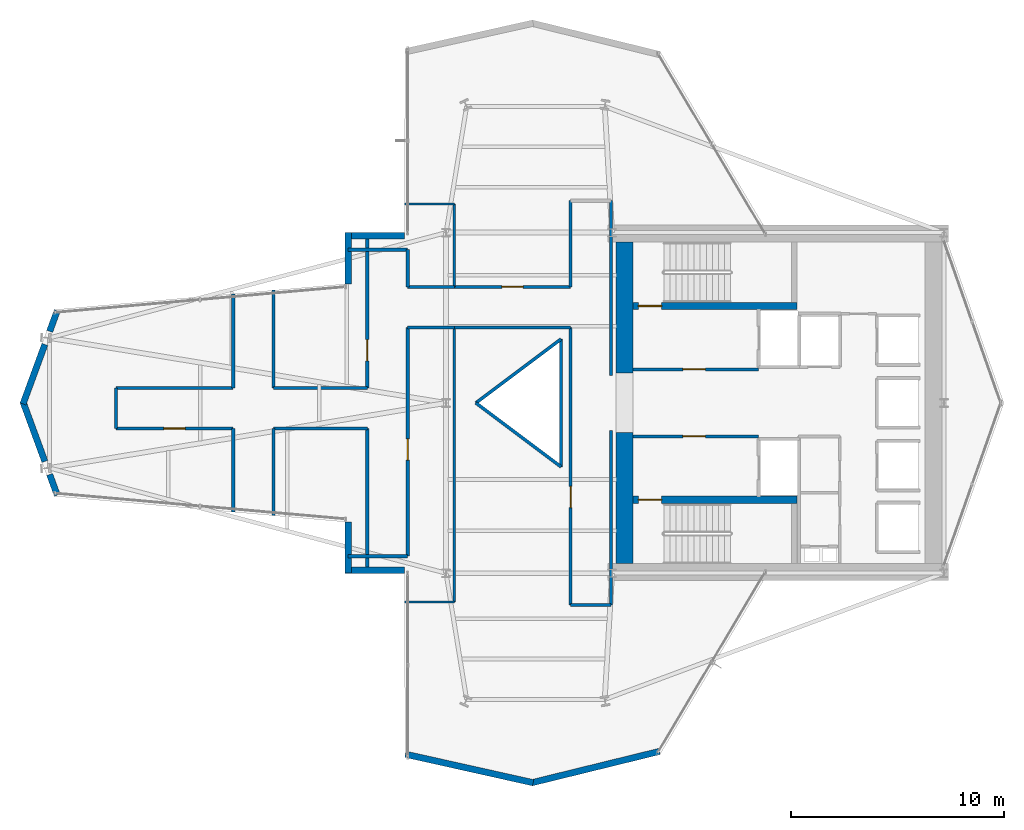
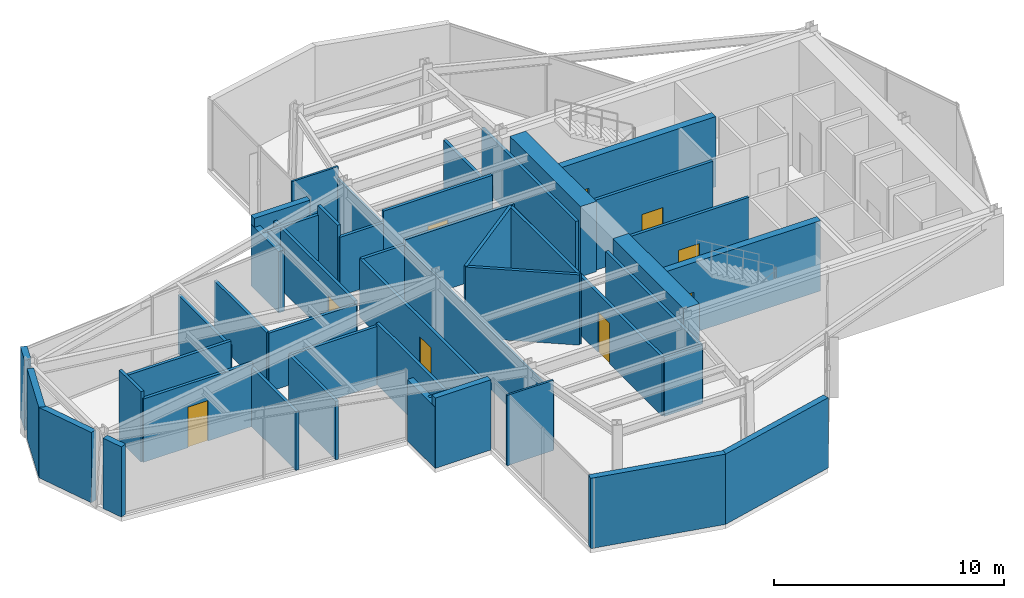
# One storey, part 20 of 23: 47 walls, 9 doors, 9 openings.
"""IFC4 building model written with IfcOpenShell, lengths in metres."""

from ifc_helpers import new_model, si_unit, direction, frame, frame_2d, origin, place, context, subcontext, project, spatial, rectangle, extrude, material, layer, layer_set, type_object, element, fill, save


model = new_model("IFC4")

# Units and contexts
model_context = context("Model", 3, precision=1e-05, world=origin(), true_north=direction((0.0, 1.0)))
body_context = subcontext(model_context, "Body", "Model", "MODEL_VIEW")
ifc_project = project(units=[si_unit("LENGTHUNIT", "METRE"), si_unit("AREAUNIT", "SQUARE_METRE"), si_unit("VOLUMEUNIT", "CUBIC_METRE"), si_unit("PLANEANGLEUNIT", "RADIAN"), si_unit("MASSUNIT", "GRAM", prefix="KILO")], contexts=[model_context])

# Site, building, storey
site_placement = place(None, origin())
site = spatial("IfcSite", under=ifc_project, at=site_placement, CompositionType="ELEMENT")
building_placement = place(site_placement, origin())
building = spatial("IfcBuilding", under=site, at=building_placement, Name="Veymaron Broadcast Tower", CompositionType="ELEMENT")
storey_placement = place(building_placement, frame((0.0, 0.0, 177.60009765625)))
storey = spatial("IfcBuildingStorey", under=building, at=storey_placement, Name="L41", CompositionType="ELEMENT", Elevation=177.60009765625)

# Walls
ifc_material_1 = material(Name="Precast concrete C40/50 with mineral-wool insulation", Category="concrete")
ifc_layer_1 = layer(ifc_material_1, 0.300048828125)
ifc_layer_set_1 = layer_set([ifc_layer_1], Name="Precast concrete C40/50 with mineral-wool insulation")
wall_type_1 = type_object("IfcWallType", Name="WALL-EXT-300", PredefinedType="STANDARD", material=ifc_layer_set_1)
wall_1_placement = place(storey_placement, frame((29.25634765625, 31.860107421875, 0.0), z_axis=(0.0, 0.0, 1.0), x_axis=(-1.0, 0.0, 0.0)))
element("IfcWall", 1, at=wall_1_placement, inside=storey, type_object=wall_type_1, Name="L41 notched corner facade pier 9-1", PredefinedType="STANDARD", context=body_context, shape_type="SweptSolid", body=[
    extrude(rectangle(XDim=2.80029296875, YDim=0.300048828125, at=frame_2d((1.400146484375, 0.0))), origin(), (0.0, 0.0, 1.0), 3.72998046875),
])
wall_2_placement = place(storey_placement, frame((26.595947265625, 32.0, 0.0), z_axis=(0.0, 0.0, 1.0), x_axis=(0.0, -1.0, 0.0)))
element("IfcWall", 2, at=wall_2_placement, inside=storey, type_object=wall_type_1, Name="L41 notched corner facade pier 10-1", PredefinedType="STANDARD", context=body_context, shape_type="SweptSolid", body=[
    extrude(rectangle(XDim=2.406982421875, YDim=0.300048828125, at=frame_2d((1.20361328125, 0.0))), origin(), (0.0, 0.0, 1.0), 3.2578125),
])
wall_3_placement = place(storey_placement, frame((12.931396484375, 28.3369140625, 0.0), z_axis=(0.0, 0.0, 1.0), x_axis=(-0.344102603257, -0.938932052085, 0.0)))
element("IfcWall", 3, at=wall_3_placement, inside=storey, type_object=wall_type_1, Name="L41 notched corner facade pier 12-1", PredefinedType="STANDARD", context=body_context, shape_type="SweptSolid", body=[
    extrude(rectangle(XDim=1.0380859375, YDim=0.300048828125, at=frame_2d((0.51904296875, 0.0))), origin(), (0.0, 0.0, 1.0), 3.72998046875),
])
for number, where, z_axis, x_axis, name in (
    (4, (12.34912109375, 26.74853515625, 0.0), (0.0, 0.0, 1.0), (-0.344314854288, -0.938854238483, 0.0), "L41 notched corner facade pier 12-2"),
    (5, (11.323486328125, 24.048095703125, 0.0), (0.0, 0.0, 1.0), (0.344314854288, -0.938854238483, 0.0), "L41 notched corner facade pier 13-1"),
):
    element("IfcWall", number, at=place(storey_placement, frame(where, z_axis=z_axis, x_axis=x_axis)), inside=storey, type_object=wall_type_1, Name=name, PredefinedType="STANDARD", context=body_context, shape_type="SweptSolid", body=[
        extrude(rectangle(XDim=2.978759765625, YDim=0.300048828125, at=frame_2d((1.4892578125, 0.0))), origin(), (0.0, 0.0, 1.0), 3.72998046875),
    ])
wall_4_placement = place(storey_placement, frame((12.57421875, 20.6376953125, 0.0), z_axis=(0.0, 0.0, 1.0), x_axis=(0.344102603257, -0.938932052085, 0.0)))
element("IfcWall", 6, at=wall_4_placement, inside=storey, type_object=wall_type_1, Name="L41 notched corner facade pier 13-2", PredefinedType="STANDARD", context=body_context, shape_type="SweptSolid", body=[
    extrude(rectangle(XDim=1.0380859375, YDim=0.300048828125, at=frame_2d((0.51904296875, 0.0))), origin(), (0.0, 0.0, 1.0), 3.72998046875),
])
wall_5_placement = place(storey_placement, frame((26.595947265625, 18.406982421875, 0.0), z_axis=(0.0, 0.0, 1.0), x_axis=(0.0, -1.0, 0.0)))
element("IfcWall", 7, at=wall_5_placement, inside=storey, type_object=wall_type_1, Name="L41 notched corner facade pier 15-1", PredefinedType="STANDARD", context=body_context, shape_type="SweptSolid", body=[
    extrude(rectangle(XDim=2.406982421875, YDim=0.300048828125, at=frame_2d((1.20361328125, 0.0))), origin(), (0.0, 0.0, 1.0), 3.2578125),
])
wall_6_placement = place(storey_placement, frame((26.4560546875, 16.139892578125, 0.0), z_axis=(0.0, 0.0, 1.0), x_axis=(1.0, 0.0, 0.0)))
element("IfcWall", 8, at=wall_6_placement, inside=storey, type_object=wall_type_1, Name="L41 notched corner facade pier 16-1", PredefinedType="STANDARD", context=body_context, shape_type="SweptSolid", body=[
    extrude(rectangle(XDim=2.80029296875, YDim=0.300048828125, at=frame_2d((1.400146484375, 0.0))), origin(), (0.0, 0.0, 1.0), 3.72998046875),
])
wall_7_placement = place(storey_placement, frame((29.291748046875, 7.49462890625, 0.0), z_axis=(0.0, 0.0, 1.0), x_axis=(0.975959494703, -0.217951977966, 0.0)))
element("IfcWall", 9, at=wall_7_placement, inside=storey, type_object=wall_type_1, Name="L41 notched corner facade pier 18-1", PredefinedType="STANDARD", context=body_context, shape_type="SweptSolid", body=[
    extrude(rectangle(XDim=6.1484375, YDim=0.300048828125, at=frame_2d((3.07421875, 0.0))), origin(), (0.0, 0.0, 1.0), 3.72998046875),
])
wall_8_placement = place(storey_placement, frame((35.228515625, 6.154052734375, 0.0), z_axis=(0.0, 0.0, 1.0), x_axis=(0.971135940566, 0.238526696497, 0.0)))
element("IfcWall", 10, at=wall_8_placement, inside=storey, type_object=wall_type_1, Name="L41 notched corner facade pier 19-1", PredefinedType="STANDARD", context=body_context, shape_type="SweptSolid", body=[
    extrude(rectangle(XDim=6.17919921875, YDim=0.300048828125, at=frame_2d((3.089599609375, 0.0))), origin(), (0.0, 0.0, 1.0), 3.72998046875),
])

# Wall, opening, door
ifc_material_2 = material(Name="Gypsum fireboard and steel stud framing", Category="steel")
ifc_layer_2 = layer(ifc_material_2, 0.14990234375)
ifc_layer_set_2 = layer_set([ifc_layer_2], Name="Gypsum fireboard and steel stud framing")
wall_type_2 = type_object("IfcWallType", Name="WALL-FIRE-150", PredefinedType="PARTITIONING", material=ifc_layer_set_2)
wall_9_placement = place(storey_placement, frame((39.97998046875, 25.574951171875, 0.0), z_axis=(0.0, 0.0, 1.0), x_axis=(1.0, 0.0, 0.0)))
wall_9 = element("IfcWall", 11, at=wall_9_placement, inside=storey, type_object=wall_type_2, Name="L41 partition IW-L41-FFLN-S", PredefinedType="PARTITIONING", context=body_context, shape_type="SweptSolid", body=[
    extrude(rectangle(XDim=5.89990234375, YDim=0.14990234375, at=frame_2d((2.949951171875, 0.0))), origin(), (0.0, 0.0, 1.0), 3.72998046875),
])
opening_1_placement = place(wall_9_placement, frame((2.35009765625, 0.0, 0.0)))
opening_1 = element("IfcOpeningElement", 12, at=opening_1_placement, cuts=wall_9, Name="Opening ID-FL1", PredefinedType="OPENING", context=body_context, shape_type="SweptSolid", body=[
    extrude(rectangle(XDim=1.050048828125, YDim=2.14990234375, at=frame_2d((0.52490234375, 1.074951171875))), frame((0.0, 0.0849609375, 0.0), z_axis=(0.0, -1.0, 0.0), x_axis=(1.0, 0.0, 0.0)), (0.0, 0.0, 1.0), 0.169921875),
])
ifc_material_3 = material(Name="Fire-rated painted hollow steel ASTM A653", Category="steel")
door_type_1 = type_object("IfcDoorType", Name="DOOR-FIRE-1050", OperationType="NOTDEFINED", PredefinedType="DOOR", material=ifc_material_3)
door_1_placement = place(opening_1_placement, origin())
door_1 = element("IfcDoor", 13, at=door_1_placement, inside=storey, type_object=door_type_1, Name="L41 door DR-L41-FFLN", OperationType="SINGLE_SWING_LEFT", OverallHeight=2.14990234375, OverallWidth=1.050048828125, PredefinedType="DOOR", context=body_context, shape_type="SweptSolid", body=[
    extrude(rectangle(XDim=1.050048828125, YDim=2.14990234375, at=frame_2d((0.52490234375, 1.074951171875))), frame((0.0, 0.02490234375, 0.0), z_axis=(0.0, -1.0, 0.0), x_axis=(1.0, 0.0, 0.0)), (0.0, 0.0, 1.0), 0.050048828125),
])
fill(opening_1, door_1)

wall_10_placement = place(storey_placement, frame((39.97998046875, 22.425048828125, 0.0), z_axis=(0.0, 0.0, 1.0), x_axis=(1.0, 0.0, 0.0)))
wall_10 = element("IfcWall", 14, at=wall_10_placement, inside=storey, type_object=wall_type_2, Name="L41 partition IW-L41-FFLS-N", PredefinedType="PARTITIONING", context=body_context, shape_type="SweptSolid", body=[
    extrude(rectangle(XDim=5.89990234375, YDim=0.14990234375, at=frame_2d((2.949951171875, 0.0))), origin(), (0.0, 0.0, 1.0), 3.72998046875),
])
opening_2_placement = place(wall_10_placement, frame((2.35009765625, 0.0, 0.0)))
opening_2 = element("IfcOpeningElement", 15, at=opening_2_placement, cuts=wall_10, Name="Opening ID-FL1", PredefinedType="OPENING", context=body_context, shape_type="SweptSolid", body=[
    extrude(rectangle(XDim=1.050048828125, YDim=2.14990234375, at=frame_2d((0.52490234375, 1.074951171875))), frame((0.0, 0.0849609375, 0.0), z_axis=(0.0, -1.0, 0.0), x_axis=(1.0, 0.0, 0.0)), (0.0, 0.0, 1.0), 0.169921875),
])
door_2_placement = place(opening_2_placement, frame((1.050048828125, 0.0, 0.0), z_axis=(0.0, 0.0, 1.0), x_axis=(-1.0, 0.0, 0.0)))
door_2 = element("IfcDoor", 16, at=door_2_placement, inside=storey, type_object=door_type_1, Name="L41 door DR-L41-FFLS", OperationType="SINGLE_SWING_RIGHT", OverallHeight=2.14990234375, OverallWidth=1.050048828125, PredefinedType="DOOR", context=body_context, shape_type="SweptSolid", body=[
    extrude(rectangle(XDim=1.050048828125, YDim=2.14990234375, at=frame_2d((0.52490234375, 1.074951171875))), frame((0.0, 0.02490234375, 0.0), z_axis=(0.0, -1.0, 0.0), x_axis=(1.0, 0.0, 0.0)), (0.0, 0.0, 1.0), 0.050048828125),
])
fill(opening_2, door_2)

wall_11_placement = place(storey_placement, frame((37.050048828125, 14.5, 0.0), z_axis=(0.0, 0.0, 1.0), x_axis=(0.0, 1.0, 0.0)))
wall_11 = element("IfcWall", 17, at=wall_11_placement, inside=storey, type_object=wall_type_2, Name="L41 partition IW-L41-P01", PredefinedType="PARTITIONING", context=body_context, shape_type="SweptSolid", body=[
    extrude(rectangle(XDim=13.050048828125, YDim=0.14990234375, at=frame_2d((6.52490234375, 0.0))), origin(), (0.0, 0.0, 1.0), 3.10986328125),
])
opening_3_placement = place(wall_11_placement, frame((4.5849609375, 0.0, 0.0)))
opening_3 = element("IfcOpeningElement", 18, at=opening_3_placement, cuts=wall_11, Name="Opening ID-RM3", PredefinedType="OPENING", context=body_context, shape_type="SweptSolid", body=[
    extrude(rectangle(XDim=1.0, YDim=2.14990234375, at=frame_2d((0.5, 1.074951171875))), frame((0.0, 0.0849609375, 0.0), z_axis=(0.0, -1.0, 0.0), x_axis=(1.0, 0.0, 0.0)), (0.0, 0.0, 1.0), 0.169921875),
])
ifc_material_4 = material(Name="Acoustic solid-core European oak veneer timber", Category="wood")
door_type_2 = type_object("IfcDoorType", Name="DOOR-INT-1000", OperationType="NOTDEFINED", PredefinedType="DOOR", material=ifc_material_4)
door_3_placement = place(opening_3_placement, frame((1.0, 0.0, 0.0), z_axis=(0.0, 0.0, 1.0), x_axis=(-1.0, 0.0, 0.0)))
door_3 = element("IfcDoor", 19, at=door_3_placement, inside=storey, type_object=door_type_2, Name="L41 door DR-L41-P01", OperationType="SINGLE_SWING_RIGHT", OverallHeight=2.14990234375, OverallWidth=1.0, PredefinedType="DOOR", context=body_context, shape_type="SweptSolid", body=[
    extrude(rectangle(XDim=1.0, YDim=2.14990234375, at=frame_2d((0.5, 1.074951171875))), frame((0.0, 0.02490234375, 0.0), z_axis=(0.0, -1.0, 0.0), x_axis=(1.0, 0.0, 0.0)), (0.0, 0.0, 1.0), 0.050048828125),
])
fill(opening_3, door_3)

wall_12_placement = place(storey_placement, frame((29.39990234375, 16.800048828125, 0.0), z_axis=(0.0, 0.0, 1.0), x_axis=(0.0, 1.0, 0.0)))
wall_12 = element("IfcWall", 20, at=wall_12_placement, inside=storey, type_object=wall_type_2, Name="L41 partition IW-L41-P05", PredefinedType="PARTITIONING", context=body_context, shape_type="SweptSolid", body=[
    extrude(rectangle(XDim=10.75, YDim=0.14990234375, at=frame_2d((5.375, 0.0))), origin(), (0.0, 0.0, 1.0), 3.10986328125),
])
opening_4_placement = place(wall_12_placement, frame((4.514892578125, 0.0, 0.0)))
opening_4 = element("IfcOpeningElement", 21, at=opening_4_placement, cuts=wall_12, Name="Opening ID-RM3", PredefinedType="OPENING", context=body_context, shape_type="SweptSolid", body=[
    extrude(rectangle(XDim=1.0, YDim=2.14990234375, at=frame_2d((0.5, 1.074951171875))), frame((0.0, 0.0849609375, 0.0), z_axis=(0.0, -1.0, 0.0), x_axis=(1.0, 0.0, 0.0)), (0.0, 0.0, 1.0), 0.169921875),
])
door_4_placement = place(opening_4_placement, frame((1.0, 0.0, 0.0), z_axis=(0.0, 0.0, 1.0), x_axis=(-1.0, 0.0, 0.0)))
door_4 = element("IfcDoor", 22, at=door_4_placement, inside=storey, type_object=door_type_2, Name="L41 door DR-L41-P05", OperationType="SINGLE_SWING_RIGHT", OverallHeight=2.14990234375, OverallWidth=1.0, PredefinedType="DOOR", context=body_context, shape_type="SweptSolid", body=[
    extrude(rectangle(XDim=1.0, YDim=2.14990234375, at=frame_2d((0.5, 1.074951171875))), frame((0.0, 0.02490234375, 0.0), z_axis=(0.0, -1.0, 0.0), x_axis=(1.0, 0.0, 0.0)), (0.0, 0.0, 1.0), 0.050048828125),
])
fill(opening_4, door_4)

wall_13_placement = place(storey_placement, frame((15.69189453125, 22.800048828125, 0.0), z_axis=(0.0, 0.0, 1.0), x_axis=(1.0, 0.0, 0.0)))
wall_13 = element("IfcWall", 23, at=wall_13_placement, inside=storey, type_object=wall_type_2, Name="L41 partition IW-L41-P11", PredefinedType="PARTITIONING", context=body_context, shape_type="SweptSolid", body=[
    extrude(rectangle(XDim=5.508056640625, YDim=0.14990234375, at=frame_2d((2.75390625, 0.0))), origin(), (0.0, 0.0, 1.0), 3.36279296875),
])
opening_5_placement = place(wall_13_placement, frame((2.25390625, 0.0, 0.0)))
opening_5 = element("IfcOpeningElement", 24, at=opening_5_placement, cuts=wall_13, Name="Opening ID-RM3", PredefinedType="OPENING", context=body_context, shape_type="SweptSolid", body=[
    extrude(rectangle(XDim=1.0, YDim=2.14990234375, at=frame_2d((0.5, 1.074951171875))), frame((0.0, 0.0849609375, 0.0), z_axis=(0.0, -1.0, 0.0), x_axis=(1.0, 0.0, 0.0)), (0.0, 0.0, 1.0), 0.169921875),
])
door_5_placement = place(opening_5_placement, frame((1.0, 0.0, 0.0), z_axis=(0.0, 0.0, 1.0), x_axis=(-1.0, 0.0, 0.0)))
door_5 = element("IfcDoor", 25, at=door_5_placement, inside=storey, type_object=door_type_2, Name="L41 door DR-L41-P11", OperationType="SINGLE_SWING_RIGHT", OverallHeight=2.14990234375, OverallWidth=1.0, PredefinedType="DOOR", context=body_context, shape_type="SweptSolid", body=[
    extrude(rectangle(XDim=1.0, YDim=2.14990234375, at=frame_2d((0.5, 1.074951171875))), frame((0.0, 0.02490234375, 0.0), z_axis=(0.0, -1.0, 0.0), x_axis=(1.0, 0.0, 0.0)), (0.0, 0.0, 1.0), 0.050048828125),
])
fill(opening_5, door_5)

wall_14_placement = place(storey_placement, frame((27.5, 24.699951171875, 0.0), z_axis=(0.0, 0.0, 1.0), x_axis=(0.0, 1.0, 0.0)))
wall_14 = element("IfcWall", 26, at=wall_14_placement, inside=storey, type_object=wall_type_2, Name="L41 partition IW-L41-P16", PredefinedType="PARTITIONING", context=body_context, shape_type="SweptSolid", body=[
    extrude(rectangle(XDim=7.16015625, YDim=0.14990234375, at=frame_2d((3.580078125, 0.0))), origin(), (0.0, 0.0, 1.0), 3.2578125),
])
opening_6_placement = place(wall_14_placement, frame((1.280029296875, 0.0, 0.0)))
opening_6 = element("IfcOpeningElement", 27, at=opening_6_placement, cuts=wall_14, Name="Opening ID-RM3", PredefinedType="OPENING", context=body_context, shape_type="SweptSolid", body=[
    extrude(rectangle(XDim=1.0, YDim=2.14990234375, at=frame_2d((0.5, 1.074951171875))), frame((0.0, 0.0849609375, 0.0), z_axis=(0.0, -1.0, 0.0), x_axis=(1.0, 0.0, 0.0)), (0.0, 0.0, 1.0), 0.169921875),
])
door_6_placement = place(opening_6_placement, origin())
door_6 = element("IfcDoor", 28, at=door_6_placement, inside=storey, type_object=door_type_2, Name="L41 door DR-L41-P16", OperationType="SINGLE_SWING_LEFT", OverallHeight=2.14990234375, OverallWidth=1.0, PredefinedType="DOOR", context=body_context, shape_type="SweptSolid", body=[
    extrude(rectangle(XDim=1.0, YDim=2.14990234375, at=frame_2d((0.5, 1.074951171875))), frame((0.0, 0.02490234375, 0.0), z_axis=(0.0, -1.0, 0.0), x_axis=(1.0, 0.0, 0.0)), (0.0, 0.0, 1.0), 0.050048828125),
])
fill(opening_6, door_6)

wall_15_placement = place(storey_placement, frame((31.5859375, 29.449951171875, 0.0), z_axis=(0.0, 0.0, 1.0), x_axis=(1.0, 0.0, 0.0)))
wall_15 = element("IfcWall", 29, at=wall_15_placement, inside=storey, type_object=wall_type_2, Name="L41 partition IW-L41-P23", PredefinedType="PARTITIONING", context=body_context, shape_type="SweptSolid", body=[
    extrude(rectangle(XDim=5.464111328125, YDim=0.14990234375, at=frame_2d((2.73193359375, 0.0))), origin(), (0.0, 0.0, 1.0), 3.72998046875),
])
opening_7_placement = place(wall_15_placement, frame((2.23193359375, 0.0, 0.0)))
opening_7 = element("IfcOpeningElement", 30, at=opening_7_placement, cuts=wall_15, Name="Opening ID-RM3", PredefinedType="OPENING", context=body_context, shape_type="SweptSolid", body=[
    extrude(rectangle(XDim=1.0, YDim=2.14990234375, at=frame_2d((0.5, 1.074951171875))), frame((0.0, 0.0849609375, 0.0), z_axis=(0.0, -1.0, 0.0), x_axis=(1.0, 0.0, 0.0)), (0.0, 0.0, 1.0), 0.169921875),
])
door_7_placement = place(opening_7_placement, origin())
door_7 = element("IfcDoor", 31, at=door_7_placement, inside=storey, type_object=door_type_2, Name="L41 door DR-L41-P23", OperationType="SINGLE_SWING_RIGHT", OverallHeight=2.14990234375, OverallWidth=1.0, PredefinedType="DOOR", context=body_context, shape_type="SweptSolid", body=[
    extrude(rectangle(XDim=1.0, YDim=2.14990234375, at=frame_2d((0.5, 1.074951171875))), frame((0.0, 0.02490234375, 0.0), z_axis=(0.0, -1.0, 0.0), x_axis=(1.0, 0.0, 0.0)), (0.0, 0.0, 1.0), 0.050048828125),
])
fill(opening_7, door_7)

# Walls
wall_16_placement = place(storey_placement, frame((38.949951171875, 14.5, 0.0), z_axis=(0.0, 0.0, 1.0), x_axis=(0.0, 1.0, 0.0)))
element("IfcWall", 32, at=wall_16_placement, inside=storey, type_object=wall_type_2, Name="L41 partition IW-L41-P02", PredefinedType="PARTITIONING", context=body_context, shape_type="SweptSolid", body=[
    extrude(rectangle(XDim=8.199951171875, YDim=0.14990234375, at=frame_2d((4.10009765625, 0.0))), origin(), (0.0, 0.0, 1.0), 3.10986328125),
])
wall_17_placement = place(storey_placement, frame((31.5859375, 27.550048828125, 0.0), z_axis=(0.0, 0.0, 1.0), x_axis=(1.0, 0.0, 0.0)))
element("IfcWall", 33, at=wall_17_placement, inside=storey, type_object=wall_type_2, Name="L41 partition IW-L41-P03", PredefinedType="PARTITIONING", context=body_context, shape_type="SweptSolid", body=[
    extrude(rectangle(XDim=5.464111328125, YDim=0.14990234375, at=frame_2d((2.73193359375, 0.0))), origin(), (0.0, 0.0, 1.0), 3.36279296875),
])
wall_18_placement = place(storey_placement, frame((37.050048828125, 14.5, 0.0), z_axis=(0.0, 0.0, 1.0), x_axis=(1.0, 0.0, 0.0)))
element("IfcWall", 34, at=wall_18_placement, inside=storey, type_object=wall_type_2, Name="L41 partition IW-L41-P04", PredefinedType="PARTITIONING", context=body_context, shape_type="SweptSolid", body=[
    extrude(rectangle(XDim=1.89990234375, YDim=0.14990234375, at=frame_2d((0.949951171875, 0.0))), origin(), (0.0, 0.0, 1.0), 3.10986328125),
])
wall_19_placement = place(storey_placement, frame((27.5, 16.139892578125, 0.0), z_axis=(0.0, 0.0, 1.0), x_axis=(0.0, 1.0, 0.0)))
element("IfcWall", 35, at=wall_19_placement, inside=storey, type_object=wall_type_2, Name="L41 partition IW-L41-P06", PredefinedType="PARTITIONING", context=body_context, shape_type="SweptSolid", body=[
    extrude(rectangle(XDim=6.66015625, YDim=0.14990234375, at=frame_2d((3.330078125, 0.0))), origin(), (0.0, 0.0, 1.0), 3.2578125),
])
wall_20_placement = place(storey_placement, frame((23.10009765625, 22.800048828125, 0.0), z_axis=(0.0, 0.0, 1.0), x_axis=(1.0, 0.0, 0.0)))
element("IfcWall", 36, at=wall_20_placement, inside=storey, type_object=wall_type_2, Name="L41 partition IW-L41-P07", PredefinedType="PARTITIONING", context=body_context, shape_type="SweptSolid", body=[
    extrude(rectangle(XDim=4.39990234375, YDim=0.14990234375, at=frame_2d((2.199951171875, 0.0))), origin(), (0.0, 0.0, 1.0), 3.10986328125),
])
wall_21_placement = place(storey_placement, frame((23.10009765625, 18.703857421875, 0.0), z_axis=(0.0, 0.0, 1.0), x_axis=(0.0, 1.0, 0.0)))
element("IfcWall", 37, at=wall_21_placement, inside=storey, type_object=wall_type_2, Name="L41 partition IW-L41-P08", PredefinedType="PARTITIONING", context=body_context, shape_type="SweptSolid", body=[
    extrude(rectangle(XDim=4.09619140625, YDim=0.14990234375, at=frame_2d((2.048095703125, 0.0))), origin(), (0.0, 0.0, 1.0), 3.10986328125),
])
wall_22_placement = place(storey_placement, frame((26.595947265625, 16.800048828125, 0.0), z_axis=(0.0, 0.0, 1.0), x_axis=(1.0, 0.0, 0.0)))
element("IfcWall", 38, at=wall_22_placement, inside=storey, type_object=wall_type_2, Name="L41 partition IW-L41-P09", PredefinedType="PARTITIONING", context=body_context, shape_type="SweptSolid", body=[
    extrude(rectangle(XDim=2.803955078125, YDim=0.14990234375, at=frame_2d((1.40185546875, 0.0))), origin(), (0.0, 0.0, 1.0), 3.2578125),
])
wall_23_placement = place(storey_placement, frame((29.39990234375, 27.550048828125, 0.0), z_axis=(0.0, 0.0, 1.0), x_axis=(1.0, 0.0, 0.0)))
element("IfcWall", 39, at=wall_23_placement, inside=storey, type_object=wall_type_2, Name="L41 partition IW-L41-P10", PredefinedType="PARTITIONING", context=body_context, shape_type="SweptSolid", body=[
    extrude(rectangle(XDim=2.18603515625, YDim=0.14990234375, at=frame_2d((1.093017578125, 0.0))), origin(), (0.0, 0.0, 1.0), 3.10986328125),
])
wall_24_placement = place(storey_placement, frame((15.69189453125, 24.699951171875, 0.0), z_axis=(0.0, 0.0, 1.0), x_axis=(1.0, 0.0, 0.0)))
element("IfcWall", 40, at=wall_24_placement, inside=storey, type_object=wall_type_2, Name="L41 partition IW-L41-P12", PredefinedType="PARTITIONING", context=body_context, shape_type="SweptSolid", body=[
    extrude(rectangle(XDim=5.508056640625, YDim=0.14990234375, at=frame_2d((2.75390625, 0.0))), origin(), (0.0, 0.0, 1.0), 3.36279296875),
])
wall_25_placement = place(storey_placement, frame((21.199951171875, 24.699951171875, 0.0), z_axis=(0.0, 0.0, 1.0), x_axis=(0.0, 1.0, 0.0)))
element("IfcWall", 41, at=wall_25_placement, inside=storey, type_object=wall_type_2, Name="L41 partition IW-L41-P13", PredefinedType="PARTITIONING", context=body_context, shape_type="SweptSolid", body=[
    extrude(rectangle(XDim=4.42822265625, YDim=0.14990234375, at=frame_2d((2.214111328125, 0.0))), origin(), (0.0, 0.0, 1.0), 3.10986328125),
])
wall_26_placement = place(storey_placement, frame((21.199951171875, 18.871826171875, 0.0), z_axis=(0.0, 0.0, 1.0), x_axis=(0.0, 1.0, 0.0)))
element("IfcWall", 42, at=wall_26_placement, inside=storey, type_object=wall_type_2, Name="L41 partition IW-L41-P14", PredefinedType="PARTITIONING", context=body_context, shape_type="SweptSolid", body=[
    extrude(rectangle(XDim=3.92822265625, YDim=0.14990234375, at=frame_2d((1.964111328125, 0.0))), origin(), (0.0, 0.0, 1.0), 3.10986328125),
])
wall_27_placement = place(storey_placement, frame((15.69189453125, 22.800048828125, 0.0), z_axis=(0.0, 0.0, 1.0), x_axis=(0.0, 1.0, 0.0)))
element("IfcWall", 43, at=wall_27_placement, inside=storey, type_object=wall_type_2, Name="L41 partition IW-L41-P15", PredefinedType="PARTITIONING", context=body_context, shape_type="SweptSolid", body=[
    extrude(rectangle(XDim=1.89990234375, YDim=0.14990234375, at=frame_2d((0.949951171875, 0.0))), origin(), (0.0, 0.0, 1.0), 3.72998046875),
])
wall_28_placement = place(storey_placement, frame((23.10009765625, 24.699951171875, 0.0), z_axis=(0.0, 0.0, 1.0), x_axis=(0.0, 1.0, 0.0)))
element("IfcWall", 44, at=wall_28_placement, inside=storey, type_object=wall_type_2, Name="L41 partition IW-L41-P17", PredefinedType="PARTITIONING", context=body_context, shape_type="SweptSolid", body=[
    extrude(rectangle(XDim=4.59619140625, YDim=0.14990234375, at=frame_2d((2.298095703125, 0.0))), origin(), (0.0, 0.0, 1.0), 3.10986328125),
])
wall_29_placement = place(storey_placement, frame((23.10009765625, 24.699951171875, 0.0), z_axis=(0.0, 0.0, 1.0), x_axis=(1.0, 0.0, 0.0)))
element("IfcWall", 45, at=wall_29_placement, inside=storey, type_object=wall_type_2, Name="L41 partition IW-L41-P18", PredefinedType="PARTITIONING", context=body_context, shape_type="SweptSolid", body=[
    extrude(rectangle(XDim=4.39990234375, YDim=0.14990234375, at=frame_2d((2.199951171875, 0.0))), origin(), (0.0, 0.0, 1.0), 3.10986328125),
])
wall_30_placement = place(storey_placement, frame((26.595947265625, 31.199951171875, 0.0), z_axis=(0.0, 0.0, 1.0), x_axis=(1.0, 0.0, 0.0)))
element("IfcWall", 46, at=wall_30_placement, inside=storey, type_object=wall_type_2, Name="L41 partition IW-L41-P19", PredefinedType="PARTITIONING", context=body_context, shape_type="SweptSolid", body=[
    extrude(rectangle(XDim=2.803955078125, YDim=0.14990234375, at=frame_2d((1.40185546875, 0.0))), origin(), (0.0, 0.0, 1.0), 3.2578125),
])
wall_31_placement = place(storey_placement, frame((29.39990234375, 29.449951171875, 0.0), z_axis=(0.0, 0.0, 1.0), x_axis=(1.0, 0.0, 0.0)))
element("IfcWall", 47, at=wall_31_placement, inside=storey, type_object=wall_type_2, Name="L41 partition IW-L41-P20", PredefinedType="PARTITIONING", context=body_context, shape_type="SweptSolid", body=[
    extrude(rectangle(XDim=2.18603515625, YDim=0.14990234375, at=frame_2d((1.093017578125, 0.0))), origin(), (0.0, 0.0, 1.0), 3.10986328125),
])
wall_32_placement = place(storey_placement, frame((29.39990234375, 29.449951171875, 0.0), z_axis=(0.0, 0.0, 1.0), x_axis=(0.0, 1.0, 0.0)))
element("IfcWall", 48, at=wall_32_placement, inside=storey, type_object=wall_type_2, Name="L41 partition IW-L41-P21", PredefinedType="PARTITIONING", context=body_context, shape_type="SweptSolid", body=[
    extrude(rectangle(XDim=1.75, YDim=0.14990234375, at=frame_2d((0.875, 0.0))), origin(), (0.0, 0.0, 1.0), 3.72998046875),
])
wall_33_placement = place(storey_placement, frame((38.949951171875, 25.300048828125, 0.0), z_axis=(0.0, 0.0, 1.0), x_axis=(0.0, 1.0, 0.0)))
element("IfcWall", 49, at=wall_33_placement, inside=storey, type_object=wall_type_2, Name="L41 partition IW-L41-P22", PredefinedType="PARTITIONING", context=body_context, shape_type="SweptSolid", body=[
    extrude(rectangle(XDim=8.199951171875, YDim=0.14990234375, at=frame_2d((4.10009765625, 0.0))), origin(), (0.0, 0.0, 1.0), 3.10986328125),
])
wall_34_placement = place(storey_placement, frame((37.050048828125, 29.449951171875, 0.0), z_axis=(0.0, 0.0, 1.0), x_axis=(0.0, 1.0, 0.0)))
element("IfcWall", 50, at=wall_34_placement, inside=storey, type_object=wall_type_2, Name="L41 partition IW-L41-P24", PredefinedType="PARTITIONING", context=body_context, shape_type="SweptSolid", body=[
    extrude(rectangle(XDim=4.050048828125, YDim=0.14990234375, at=frame_2d((2.02490234375, 0.0))), origin(), (0.0, 0.0, 1.0), 3.10986328125),
])
ifc_material_5 = material(Name="Fire-rated laminated glass in aluminium frame", Category="aluminium")
ifc_layer_3 = layer(ifc_material_5, 0.14990234375)
ifc_layer_set_3 = layer_set([ifc_layer_3], Name="Fire-rated laminated glass in aluminium frame")
wall_type_3 = type_object("IfcWallType", Name="WALL-GLZ-150", PredefinedType="MOVABLE", material=ifc_layer_set_3)
wall_35_placement = place(storey_placement, frame((32.60009765625, 24.0, 0.0), z_axis=(0.0, 0.0, 1.0), x_axis=(0.8, -0.6, 0.0)))
element("IfcWall", 51, at=wall_35_placement, inside=storey, type_object=wall_type_3, Name="L41 partition IW-L41-ATR1", PredefinedType="MOVABLE", context=body_context, shape_type="SweptSolid", body=[
    extrude(rectangle(XDim=5.0, YDim=0.14990234375, at=frame_2d((2.5, 0.0))), origin(), (0.0, 0.0, 1.0), 3.72998046875),
])
wall_36_placement = place(storey_placement, frame((36.60009765625, 21.0, 0.0), z_axis=(0.0, 0.0, 1.0), x_axis=(0.0, 1.0, 0.0)))
element("IfcWall", 52, at=wall_36_placement, inside=storey, type_object=wall_type_3, Name="L41 partition IW-L41-ATR2", PredefinedType="MOVABLE", context=body_context, shape_type="SweptSolid", body=[
    extrude(rectangle(XDim=6.0, YDim=0.14990234375, at=frame_2d((3.0, 0.0))), origin(), (0.0, 0.0, 1.0), 3.72998046875),
])
wall_37_placement = place(storey_placement, frame((36.60009765625, 27.0, 0.0), z_axis=(0.0, 0.0, 1.0), x_axis=(-0.8, -0.6, 0.0)))
element("IfcWall", 53, at=wall_37_placement, inside=storey, type_object=wall_type_3, Name="L41 partition IW-L41-ATR3", PredefinedType="MOVABLE", context=body_context, shape_type="SweptSolid", body=[
    extrude(rectangle(XDim=5.0, YDim=0.14990234375, at=frame_2d((2.5, 0.0))), origin(), (0.0, 0.0, 1.0), 3.72998046875),
])
ifc_material_6 = material(Name="Acoustic gypsum board and galvanized stud", Category="gypsum")
ifc_layer_4 = layer(ifc_material_6, 0.10009765625)
ifc_layer_set_4 = layer_set([ifc_layer_4], Name="Acoustic gypsum board and galvanized stud")
wall_type_4 = type_object("IfcWallType", Name="WALL-PART-100", PredefinedType="PARTITIONING", material=ifc_layer_set_4)
wall_38_placement = place(storey_placement, frame((31.5859375, 14.64892578125, 0.0), z_axis=(0.0, 0.0, 1.0), x_axis=(0.0, 1.0, 0.0)))
element("IfcWall", 54, at=wall_38_placement, inside=storey, type_object=wall_type_4, Name="L41 partition IW-L41-P26", PredefinedType="PARTITIONING", context=body_context, shape_type="SweptSolid", body=[
    extrude(rectangle(XDim=12.901123046875, YDim=0.10009765625, at=frame_2d((6.45068359375, 0.0))), origin(), (0.0, 0.0, 1.0), 3.10986328125),
])
wall_39_placement = place(storey_placement, frame((29.257080078125, 14.64892578125, 0.0), z_axis=(0.0, 0.0, 1.0), x_axis=(1.0, 0.0, 0.0)))
element("IfcWall", 55, at=wall_39_placement, inside=storey, type_object=wall_type_4, Name="L41 partition IW-L41-P27", PredefinedType="PARTITIONING", context=body_context, shape_type="SweptSolid", body=[
    extrude(rectangle(XDim=2.328857421875, YDim=0.10009765625, at=frame_2d((1.16455078125, 0.0))), origin(), (0.0, 0.0, 1.0), 3.72998046875),
])
wall_40_placement = place(storey_placement, frame((31.5859375, 29.449951171875, 0.0), z_axis=(0.0, 0.0, 1.0), x_axis=(0.0, 1.0, 0.0)))
element("IfcWall", 56, at=wall_40_placement, inside=storey, type_object=wall_type_4, Name="L41 partition IW-L41-P28", PredefinedType="PARTITIONING", context=body_context, shape_type="SweptSolid", body=[
    extrude(rectangle(XDim=3.901123046875, YDim=0.10009765625, at=frame_2d((1.95068359375, 0.0))), origin(), (0.0, 0.0, 1.0), 3.10986328125),
])
wall_41_placement = place(storey_placement, frame((29.257080078125, 33.35107421875, 0.0), z_axis=(0.0, 0.0, 1.0), x_axis=(1.0, 0.0, 0.0)))
element("IfcWall", 57, at=wall_41_placement, inside=storey, type_object=wall_type_4, Name="L41 partition IW-L41-P29", PredefinedType="PARTITIONING", context=body_context, shape_type="SweptSolid", body=[
    extrude(rectangle(XDim=2.328857421875, YDim=0.10009765625, at=frame_2d((1.16455078125, 0.0))), origin(), (0.0, 0.0, 1.0), 3.72998046875),
])

# Wall, opening, door
ifc_material_7 = material(Name="Concrete C50/60", Category="concrete")
ifc_layer_5 = layer(ifc_material_7, 0.35009765625)
ifc_layer_set_5 = layer_set([ifc_layer_5], Name="Concrete C50/60")
wall_type_5 = type_object("IfcWallType", Name="WALL-SHEAR-350", PredefinedType="SHEAR", material=ifc_layer_set_5)
wall_42_placement = place(storey_placement, frame((39.97998046875, 28.554931640625, 0.0), z_axis=(0.0, 0.0, 1.0), x_axis=(1.0, 0.0, 0.0)))
wall_42 = element("IfcWall", 58, at=wall_42_placement, inside=storey, type_object=wall_type_5, Name="L41 Core Wall north stair spine", PredefinedType="SHEAR", context=body_context, shape_type="SweptSolid", body=[
    extrude(rectangle(XDim=7.7099609375, YDim=0.35009765625, at=frame_2d((3.85498046875, 0.0))), origin(), (0.0, 0.0, 1.0), 3.72998046875),
])
opening_8_placement = place(wall_42_placement, frame((0.25, 0.0, 0.0)))
opening_8 = element("IfcOpeningElement", 59, at=opening_8_placement, cuts=wall_42, Name="Opening ID-ST1", PredefinedType="OPENING", context=body_context, shape_type="SweptSolid", body=[
    extrude(rectangle(XDim=1.10009765625, YDim=2.14990234375, at=frame_2d((0.550048828125, 1.074951171875))), frame((0.0, 0.18505859375, 0.0), z_axis=(0.0, -1.0, 0.0), x_axis=(1.0, 0.0, 0.0)), (0.0, 0.0, 1.0), 0.3701171875),
])
door_type_3 = type_object("IfcDoorType", Name="DOOR-STAIR-1100", OperationType="NOTDEFINED", PredefinedType="DOOR", material=ifc_material_3)
door_8_placement = place(opening_8_placement, origin())
door_8 = element("IfcDoor", 60, at=door_8_placement, inside=storey, type_object=door_type_3, Name="L41 exit stair ST1 fire door", OperationType="SINGLE_SWING_RIGHT", OverallHeight=2.14990234375, OverallWidth=1.10009765625, PredefinedType="DOOR", context=body_context, shape_type="SweptSolid", body=[
    extrude(rectangle(XDim=1.10009765625, YDim=2.14990234375, at=frame_2d((0.550048828125, 1.074951171875))), frame((0.0, 0.02490234375, 0.0), z_axis=(0.0, -1.0, 0.0), x_axis=(1.0, 0.0, 0.0)), (0.0, 0.0, 1.0), 0.050048828125),
])
fill(opening_8, door_8)

wall_43_placement = place(storey_placement, frame((39.97998046875, 19.445068359375, 0.0), z_axis=(0.0, 0.0, 1.0), x_axis=(1.0, 0.0, 0.0)))
wall_43 = element("IfcWall", 61, at=wall_43_placement, inside=storey, type_object=wall_type_5, Name="L41 Core Wall south stair spine", PredefinedType="SHEAR", context=body_context, shape_type="SweptSolid", body=[
    extrude(rectangle(XDim=7.7099609375, YDim=0.35009765625, at=frame_2d((3.85498046875, 0.0))), origin(), (0.0, 0.0, 1.0), 3.72998046875),
])
opening_9_placement = place(wall_43_placement, frame((0.25, 0.0, 0.0)))
opening_9 = element("IfcOpeningElement", 62, at=opening_9_placement, cuts=wall_43, Name="Opening ID-ST1", PredefinedType="OPENING", context=body_context, shape_type="SweptSolid", body=[
    extrude(rectangle(XDim=1.10009765625, YDim=2.14990234375, at=frame_2d((0.550048828125, 1.074951171875))), frame((0.0, 0.18505859375, 0.0), z_axis=(0.0, -1.0, 0.0), x_axis=(1.0, 0.0, 0.0)), (0.0, 0.0, 1.0), 0.3701171875),
])
door_9_placement = place(opening_9_placement, frame((1.10009765625, 0.0, 0.0), z_axis=(0.0, 0.0, 1.0), x_axis=(-1.0, 0.0, 0.0)))
door_9 = element("IfcDoor", 63, at=door_9_placement, inside=storey, type_object=door_type_3, Name="L41 exit stair ST2 fire door", OperationType="SINGLE_SWING_LEFT", OverallHeight=2.14990234375, OverallWidth=1.10009765625, PredefinedType="DOOR", context=body_context, shape_type="SweptSolid", body=[
    extrude(rectangle(XDim=1.10009765625, YDim=2.14990234375, at=frame_2d((0.550048828125, 1.074951171875))), frame((0.0, 0.02490234375, 0.0), z_axis=(0.0, -1.0, 0.0), x_axis=(1.0, 0.0, 0.0)), (0.0, 0.0, 1.0), 0.050048828125),
])
fill(opening_9, door_9)

# Walls
ifc_material_8 = material(Name="Concrete C60/75", Category="concrete")
ifc_layer_6 = layer(ifc_material_8, 0.800048828125)
ifc_layer_set_6 = layer_set([ifc_layer_6], Name="Concrete C60/75")
wall_type_6 = type_object("IfcWallType", Name="WALL-SHEAR-800", PredefinedType="SHEAR", material=ifc_layer_set_6)
for number, where, z_axis, x_axis, name in (
    (64, (39.580078125, 16.449951171875, 0.0), (0.0, 0.0, 1.0), (0.0, 1.0, 0.0), "L41 Core Wall west-south shear"),
    (65, (39.580078125, 25.39990234375, 0.0), (0.0, 0.0, 1.0), (0.0, 1.0, 0.0), "L41 Core Wall west-north shear"),
):
    element("IfcWall", number, at=place(storey_placement, frame(where, z_axis=z_axis, x_axis=x_axis)), inside=storey, type_object=wall_type_6, Name=name, PredefinedType="SHEAR", context=body_context, shape_type="SweptSolid", body=[
        extrude(rectangle(XDim=6.150146484375, YDim=0.800048828125, at=frame_2d((3.0751953125, 0.0))), origin(), (0.0, 0.0, 1.0), 3.72998046875),
    ])

save(model, "model.ifc")
